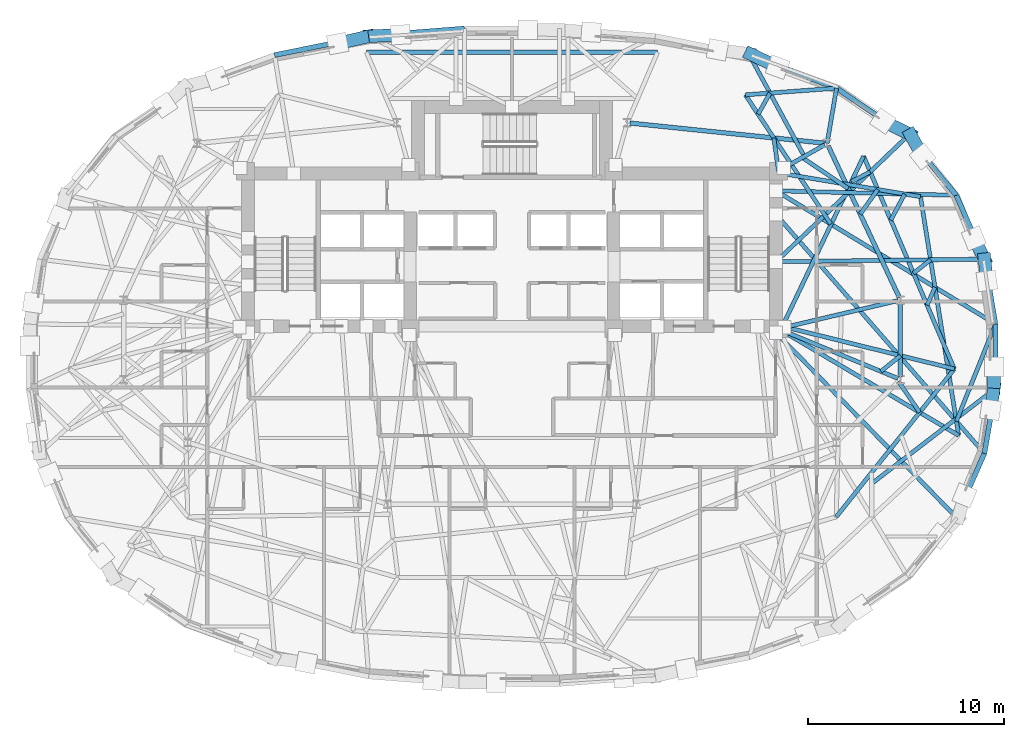
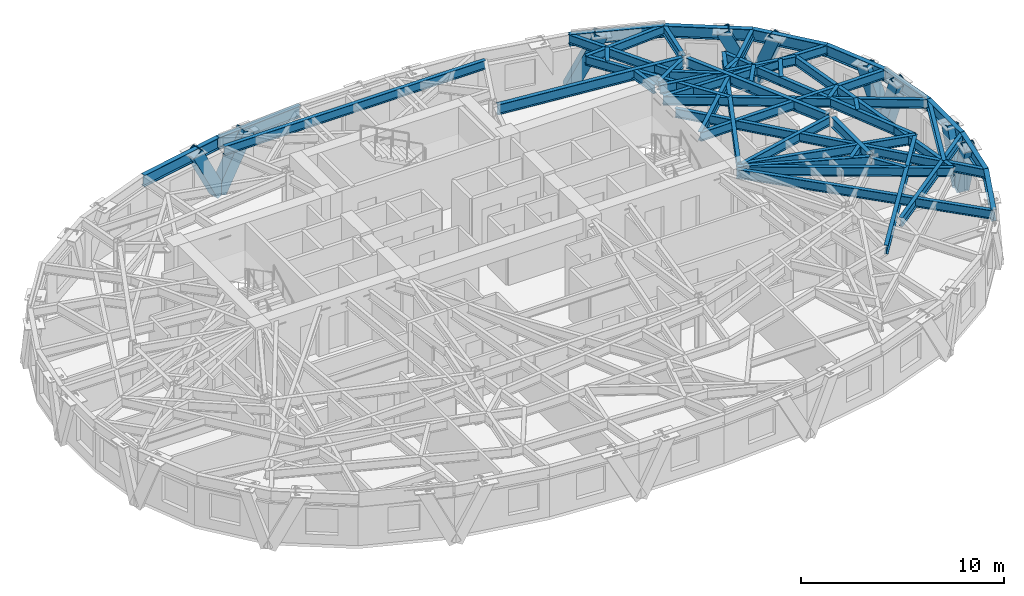
# One storey, part 4 of 15: 46 beams, 9 members.
"""IFC4 building model written with IfcOpenShell, lengths in metres."""

from ifc_helpers import new_model, si_unit, direction, frame, origin, origin_2d, place, context, subcontext, project, spatial, hollow_rectangle, i_section, extrude, material, material_profile, profile_set, type_object, element, save


model = new_model("IFC4")

# Units and contexts
model_context = context("Model", 3, precision=1e-05, world=origin(), true_north=direction((0.0, 1.0)))
body_context = subcontext(model_context, "Body", "Model", "MODEL_VIEW")
ifc_project = project(units=[si_unit("LENGTHUNIT", "METRE"), si_unit("AREAUNIT", "SQUARE_METRE"), si_unit("VOLUMEUNIT", "CUBIC_METRE"), si_unit("PLANEANGLEUNIT", "RADIAN"), si_unit("MASSUNIT", "GRAM", prefix="KILO")], contexts=[model_context])

# Site, building, storey
site_placement = place(None, origin())
site = spatial("IfcSite", under=ifc_project, at=site_placement, CompositionType="ELEMENT")
building_placement = place(site_placement, origin())
building = spatial("IfcBuilding", under=site, at=building_placement, Name="Keldmark Tower", CompositionType="ELEMENT")
storey_placement = place(building_placement, frame((0.0, 0.0, 147.0)))
storey = spatial("IfcBuildingStorey", under=building, at=storey_placement, Name="L39", CompositionType="ELEMENT", Elevation=147.0)

# Members
ifc_material_1 = material(Name="Steel ASTM A572 Grade 50", Category="steel")
ifc_material_profile_1 = material_profile(ifc_material_1, hollow_rectangle(XDim=0.64990234375, YDim=0.64990234375, WallThickness=0.0400390625, at=origin_2d()), Name="BOX650X650X40")
ifc_profile_set_1 = profile_set([ifc_material_profile_1], Name="Steel ASTM A572 Grade 50")
member_type = type_object("IfcMemberType", Name="Diagrid Zone 3 Brace BOX650X650X40", PredefinedType="BRACE", material=ifc_profile_set_1)
member_1_placement = place(storey_placement, frame((24.115966796875, 4.965087890625, -0.260009765625), z_axis=(0.037053544123, -0.332972319881, 0.942208293883), x_axis=(0.993865171867, 0.110598463594, 0.0)))
element("IfcMember", 1, at=member_1_placement, inside=storey, type_object=member_type, Name="L39 Perimeter Diagrid Brace 01A", PredefinedType="BRACE", context=body_context, shape_type="SweptSolid", body=[
    extrude(hollow_rectangle(XDim=0.64990234375, YDim=0.64990234375, WallThickness=0.0400390625, at=origin_2d()), origin(), (0.0, 0.0, 1.0), 3.353759765625),
])
member_2_placement = place(storey_placement, frame((24.118408203125, 4.95361328125, -0.260009765625), z_axis=(-0.160742019447, 0.317223581057, 0.934628911818), x_axis=(-0.892018310784, -0.451999262418, 0.0)))
element("IfcMember", 2, at=member_2_placement, inside=storey, type_object=member_type, Name="L39 Perimeter Diagrid Brace 01B", PredefinedType="BRACE", context=body_context, shape_type="SweptSolid", body=[
    extrude(hollow_rectangle(XDim=0.64990234375, YDim=0.64990234375, WallThickness=0.0400390625, at=origin_2d()), origin(), (0.0, 0.0, 1.0), 3.380859375),
])
member_3_placement = place(storey_placement, frame((20.339111328125, 11.315185546875, -0.260009765625), z_axis=(0.182228800254, -0.32851305916, 0.926753383765), x_axis=(0.87447176206, 0.485076424246, 0.0)))
element("IfcMember", 3, at=member_3_placement, inside=storey, type_object=member_type, Name="L39 Perimeter Diagrid Brace 02A", PredefinedType="BRACE", context=body_context, shape_type="SweptSolid", body=[
    extrude(hollow_rectangle(XDim=0.64990234375, YDim=0.64990234375, WallThickness=0.0400390625, at=origin_2d()), origin(), (0.0, 0.0, 1.0), 3.40966796875),
])
member_4_placement = place(storey_placement, frame((20.345458984375, 11.305419921875, -0.260009765625), z_axis=(-0.400495237178, 0.198692632767, 0.894496955099), x_axis=(-0.444428919938, -0.895814118622, 0.0)))
element("IfcMember", 4, at=member_4_placement, inside=storey, type_object=member_type, Name="L39 Perimeter Diagrid Brace 02B", PredefinedType="BRACE", context=body_context, shape_type="SweptSolid", body=[
    extrude(hollow_rectangle(XDim=0.64990234375, YDim=0.64990234375, WallThickness=0.0400390625, at=origin_2d()), origin(), (0.0, 0.0, 1.0), 3.53271484375),
])
member_5_placement = place(storey_placement, frame((12.166015625, 15.43017578125, -0.260009765625), z_axis=(0.39687884296, -0.190496294838, 0.89788548583), x_axis=(0.432720821638, 0.901527975451, 0.0)))
element("IfcMember", 5, at=member_5_placement, inside=storey, type_object=member_type, Name="L39 Perimeter Diagrid Brace 03A", PredefinedType="BRACE", context=body_context, shape_type="SweptSolid", body=[
    extrude(hollow_rectangle(XDim=0.64990234375, YDim=0.64990234375, WallThickness=0.0400390625, at=origin_2d()), origin(), (0.0, 0.0, 1.0), 3.519287109375),
])
member_6_placement = place(storey_placement, frame((-7.32763671875, 16.327392578125, -0.260009765625), z_axis=(0.46212081296, 0.023630010445, 0.886502101992), x_axis=(-0.05106711903, 0.998695223456, 0.0)))
element("IfcMember", 6, at=member_6_placement, inside=storey, type_object=member_type, Name="L39 Perimeter Diagrid Brace 05A", PredefinedType="BRACE", context=body_context, shape_type="SweptSolid", body=[
    extrude(hollow_rectangle(XDim=0.64990234375, YDim=0.64990234375, WallThickness=0.0400390625, at=origin_2d()), origin(), (0.0, 0.0, 1.0), 3.564453125),
])
member_7_placement = place(storey_placement, frame((-7.316162109375, 16.32958984375, -0.260009765625), z_axis=(-0.445328410974, -0.103619077881, 0.889351276537), x_axis=(0.226626224402, -0.973981803944, 0.0)))
element("IfcMember", 7, at=member_7_placement, inside=storey, type_object=member_type, Name="L39 Perimeter Diagrid Brace 05B", PredefinedType="BRACE", context=body_context, shape_type="SweptSolid", body=[
    extrude(hollow_rectangle(XDim=0.64990234375, YDim=0.64990234375, WallThickness=0.0400390625, at=origin_2d()), origin(), (0.0, 0.0, 1.0), 3.552978515625),
])
member_8_placement = place(storey_placement, frame((24.596435546875, -1.62841796875, -0.260009765625), z_axis=(-0.049387112798, -0.32968447275, 0.942798526471), x_axis=(0.988965183574, -0.148148120739, 0.0)))
element("IfcMember", 8, at=member_8_placement, inside=storey, type_object=member_type, Name="L39 Perimeter Diagrid Brace 16A", PredefinedType="BRACE", context=body_context, shape_type="SweptSolid", body=[
    extrude(hollow_rectangle(XDim=0.64990234375, YDim=0.64990234375, WallThickness=0.0400390625, at=origin_2d()), origin(), (0.0, 0.0, 1.0), 3.3515625),
])
member_9_placement = place(storey_placement, frame((24.59423828125, -1.639892578125, -0.260009765625), z_axis=(0.00671501047, 0.327867685104, 0.944699788133), x_axis=(-0.999790333251, 0.020476560699, 0.0)))
element("IfcMember", 9, at=member_9_placement, inside=storey, type_object=member_type, Name="L39 Perimeter Diagrid Brace 16B", PredefinedType="BRACE", context=body_context, shape_type="SweptSolid", body=[
    extrude(hollow_rectangle(XDim=0.64990234375, YDim=0.64990234375, WallThickness=0.0400390625, at=origin_2d()), origin(), (0.0, 0.0, 1.0), 3.344970703125),
])

# Beams
ifc_material_2 = material(Name="Steel ASTM A992 Grade 50", Category="steel")
ifc_material_profile_2 = material_profile(ifc_material_2, i_section(OverallWidth=0.22900390625, OverallDepth=0.612060546875, WebThickness=0.011962890625, FlangeThickness=0.01953125, at=origin_2d()), Name="W24X84")
ifc_profile_set_2 = profile_set([ifc_material_profile_2], Name="Steel ASTM A992 Grade 50")
beam_type_1 = type_object("IfcBeamType", Name="Primary Floor Girder W24X84", PredefinedType="BEAM", material=ifc_profile_set_2)
beam_1_placement = place(storey_placement, frame((19.76904296875, 2.99609375, 2.714111328125), z_axis=(-0.424526823774, 0.905415360979, 0.0), x_axis=(-0.905415360979, -0.424526823774, 0.0)))
element("IfcBeam", 10, at=beam_1_placement, inside=storey, type_object=beam_type_1, Name="L39 Floor Ring Girder FG-R01", PredefinedType="BEAM", context=body_context, shape_type="SweptSolid", body=[
    extrude(i_section(OverallWidth=0.22900390625, OverallDepth=0.612060546875, WebThickness=0.011962890625, FlangeThickness=0.01953125, at=origin_2d()), origin(), (0.0, 0.0, 1.0), 8.54638671875),
])
beam_2_placement = place(storey_placement, frame((15.942138671875, 10.87548828125, 2.714111328125), z_axis=(-0.994702930931, 0.102791435423, 0.0), x_axis=(-0.102791435423, -0.994702930931, 0.0)))
element("IfcBeam", 11, at=beam_2_placement, inside=storey, type_object=beam_type_1, Name="L39 Floor Ring Girder FG-R02", PredefinedType="BEAM", context=body_context, shape_type="SweptSolid", body=[
    extrude(i_section(OverallWidth=0.22900390625, OverallDepth=0.612060546875, WebThickness=0.011962890625, FlangeThickness=0.01953125, at=origin_2d()), origin(), (0.0, 0.0, 1.0), 9.975341796875),
])
beam_3_placement = place(storey_placement, frame((19.828369140625, -1.04931640625, 2.714111328125), z_axis=(0.0, 1.0, 0.0), x_axis=(-1.0, 0.0, 0.0)))
element("IfcBeam", 12, at=beam_3_placement, inside=storey, type_object=beam_type_1, Name="L39 Floor Ring Girder FG-R12", PredefinedType="BEAM", context=body_context, shape_type="SweptSolid", body=[
    extrude(i_section(OverallWidth=0.22900390625, OverallDepth=0.612060546875, WebThickness=0.011962890625, FlangeThickness=0.01953125, at=origin_2d()), origin(), (0.0, 0.0, 1.0), 3.778564453125),
])
ifc_material_3 = material(Name="Steel ASTM A992 Grade 50", Category="steel")
ifc_material_profile_3 = material_profile(ifc_material_3, i_section(OverallWidth=0.2099609375, OverallDepth=0.537109375, WebThickness=0.010986328125, FlangeThickness=0.017333984375, at=origin_2d()), Name="W21X68")
ifc_profile_set_3 = profile_set([ifc_material_profile_3], Name="Steel ASTM A992 Grade 50")
beam_type_2 = type_object("IfcBeamType", Name="Radial Tie Girder W21X68", PredefinedType="BEAM", material=ifc_profile_set_3)
beam_4_placement = place(storey_placement, frame((19.692138671875, 2.837158203125, 2.75146484375), z_axis=(-0.973280062348, -0.229621253887, 0.0), x_axis=(0.229621253887, -0.973280062348, 0.0)))
element("IfcBeam", 13, at=beam_4_placement, inside=storey, type_object=beam_type_2, Name="L39 Floor Radial Girder FG-C01", PredefinedType="BEAM", context=body_context, shape_type="SweptSolid", body=[
    extrude(i_section(OverallWidth=0.2099609375, OverallDepth=0.537109375, WebThickness=0.010986328125, FlangeThickness=0.017333984375, at=origin_2d()), origin(), (0.0, 0.0, 1.0), 5.939208984375),
])
beam_5_placement = place(storey_placement, frame((15.959716796875, 10.791748046875, 2.75146484375), z_axis=(-0.86929527307, -0.494293160197, 0.0), x_axis=(0.494293160197, -0.86929527307, 0.0)))
element("IfcBeam", 14, at=beam_5_placement, inside=storey, type_object=beam_type_2, Name="L39 Floor Radial Girder FG-C02", PredefinedType="BEAM", context=body_context, shape_type="SweptSolid", body=[
    extrude(i_section(OverallWidth=0.2099609375, OverallDepth=0.537109375, WebThickness=0.010986328125, FlangeThickness=0.017333984375, at=origin_2d()), origin(), (0.0, 0.0, 1.0), 2.39453125),
])
beam_6_placement = place(storey_placement, frame((19.69921875, -1.135498046875, 2.75146484375), z_axis=(-0.923393794893, 0.383854008124, 0.0), x_axis=(-0.383854008124, -0.923393794893, 0.0)))
element("IfcBeam", 15, at=beam_6_placement, inside=storey, type_object=beam_type_2, Name="L39 Floor Radial Girder FG-C12", PredefinedType="BEAM", context=body_context, shape_type="SweptSolid", body=[
    extrude(i_section(OverallWidth=0.2099609375, OverallDepth=0.537109375, WebThickness=0.010986328125, FlangeThickness=0.017333984375, at=origin_2d()), origin(), (0.0, 0.0, 1.0), 6.28515625),
])
beam_7_placement = place(storey_placement, frame((14.81494140625, 10.140869140625, 2.75146484375), z_axis=(0.829503086518, -0.558502130217, 0.0), x_axis=(0.558502130217, 0.829503086518, 0.0)))
element("IfcBeam", 16, at=beam_7_placement, inside=storey, type_object=beam_type_2, Name="L39 Framing Pin Header PH-001", PredefinedType="BEAM", context=body_context, shape_type="SweptSolid", body=[
    extrude(i_section(OverallWidth=0.2099609375, OverallDepth=0.537109375, WebThickness=0.010986328125, FlangeThickness=0.017333984375, at=origin_2d()), origin(), (0.0, 0.0, 1.0), 2.826171875),
])
beam_8_placement = place(storey_placement, frame((13.800048828125, 1.52490234375, 2.75146484375), z_axis=(0.430746964627, 0.902472743336, 0.0), x_axis=(-0.902472743336, 0.430746964627, 0.0)))
element("IfcBeam", 17, at=beam_8_placement, inside=storey, type_object=beam_type_2, Name="L39 Sub-Ring Step Girder STP1-M01", PredefinedType="BEAM", context=body_context, shape_type="SweptSolid", body=[
    extrude(i_section(OverallWidth=0.2099609375, OverallDepth=0.537109375, WebThickness=0.010986328125, FlangeThickness=0.017333984375, at=origin_2d()), origin(), (0.0, 0.0, 1.0), 9.621826171875),
])
beam_9_placement = place(storey_placement, frame((18.82861328125, -0.773681640625, 2.75146484375), z_axis=(0.77882358978, 0.627243027862, 0.0), x_axis=(-0.627243027862, 0.77882358978, 0.0)))
element("IfcBeam", 18, at=beam_9_placement, inside=storey, type_object=beam_type_2, Name="L39 Framing Pin Header PH-008", PredefinedType="BEAM", context=body_context, shape_type="SweptSolid", body=[
    extrude(i_section(OverallWidth=0.2099609375, OverallDepth=0.537109375, WebThickness=0.010986328125, FlangeThickness=0.017333984375, at=origin_2d()), origin(), (0.0, 0.0, 1.0), 1.28369140625),
])
beam_10_placement = place(storey_placement, frame((13.800048828125, 1.52490234375, 2.75146484375), z_axis=(0.970654935754, -0.240476601141, 0.0), x_axis=(0.240476601141, 0.970654935754, 0.0)))
element("IfcBeam", 19, at=beam_10_placement, inside=storey, type_object=beam_type_2, Name="L39 Sub-Ring Step Girder STP1-M12", PredefinedType="BEAM", context=body_context, shape_type="SweptSolid", body=[
    extrude(i_section(OverallWidth=0.2099609375, OverallDepth=0.537109375, WebThickness=0.010986328125, FlangeThickness=0.017333984375, at=origin_2d()), origin(), (0.0, 0.0, 1.0), 9.041748046875),
])
beam_11_placement = place(storey_placement, frame((16.549560546875, -8.198486328125, 2.75146484375), z_axis=(0.623911858681, 0.781494716935, 0.0), x_axis=(-0.781494716935, 0.623911858681, 0.0)))
element("IfcBeam", 20, at=beam_11_placement, inside=storey, type_object=beam_type_2, Name="L39 Perimeter Collector Ring Beam CRG1-M11", PredefinedType="BEAM", context=body_context, shape_type="SweptSolid", body=[
    extrude(i_section(OverallWidth=0.2099609375, OverallDepth=0.537109375, WebThickness=0.010986328125, FlangeThickness=0.017333984375, at=origin_2d()), origin(), (0.0, 0.0, 1.0), 9.65966796875),
])
beam_12_placement = place(storey_placement, frame((22.576416015625, -0.6494140625, 2.75146484375), z_axis=(-0.392383627072, 0.919801657536, 0.0), x_axis=(-0.919801657536, -0.392383627072, 0.0)))
element("IfcBeam", 21, at=beam_12_placement, inside=storey, type_object=beam_type_2, Name="L39 Perimeter Collector Ring Beam CRG1-M12", PredefinedType="BEAM", context=body_context, shape_type="SweptSolid", body=[
    extrude(i_section(OverallWidth=0.2099609375, OverallDepth=0.537109375, WebThickness=0.010986328125, FlangeThickness=0.017333984375, at=origin_2d()), origin(), (0.0, 0.0, 1.0), 11.804443359375),
])
beam_13_placement = place(storey_placement, frame((17.7734375, 7.251953125, 2.75146484375), z_axis=(0.579906395195, 0.814683111898, 0.0), x_axis=(-0.814683111898, 0.579906395195, 0.0)))
element("IfcBeam", 22, at=beam_13_placement, inside=storey, type_object=beam_type_2, Name="L39 Framing Pin Header PH-009", PredefinedType="BEAM", context=body_context, shape_type="SweptSolid", body=[
    extrude(i_section(OverallWidth=0.2099609375, OverallDepth=0.537109375, WebThickness=0.010986328125, FlangeThickness=0.017333984375, at=origin_2d()), origin(), (0.0, 0.0, 1.0), 1.544189453125),
])
beam_14_placement = place(storey_placement, frame((13.800048828125, 9.324951171875, 2.75146484375), z_axis=(0.986282001442, -0.16506911774, 0.0), x_axis=(0.16506911774, 0.986282001442, 0.0)))
element("IfcBeam", 23, at=beam_14_placement, inside=storey, type_object=beam_type_2, Name="L39 Sub-Ring Step Girder STP2-M01", PredefinedType="BEAM", context=body_context, shape_type="SweptSolid", body=[
    extrude(i_section(OverallWidth=0.2099609375, OverallDepth=0.537109375, WebThickness=0.010986328125, FlangeThickness=0.017333984375, at=origin_2d()), origin(), (0.0, 0.0, 1.0), 7.148193359375),
])
beam_15_placement = place(storey_placement, frame((19.728271484375, -1.287109375, 2.75146484375), z_axis=(0.564358808906, -0.825529608682, 0.0), x_axis=(0.825529608682, 0.564358808906, 0.0)))
element("IfcBeam", 24, at=beam_15_placement, inside=storey, type_object=beam_type_2, Name="L39 Framing Pin Header PH-014", PredefinedType="BEAM", context=body_context, shape_type="SweptSolid", body=[
    extrude(i_section(OverallWidth=0.2099609375, OverallDepth=0.537109375, WebThickness=0.010986328125, FlangeThickness=0.017333984375, at=origin_2d()), origin(), (0.0, 0.0, 1.0), 1.91162109375),
])
beam_16_placement = place(storey_placement, frame((13.60009765625, 1.39990234375, 2.75146484375), z_axis=(0.860597525961, -0.509285674557, 0.0), x_axis=(0.509285674557, 0.860597525961, 0.0)))
element("IfcBeam", 25, at=beam_16_placement, inside=storey, type_object=beam_type_2, Name="L39 Sub-Ring Step Girder STP2-M12", PredefinedType="BEAM", context=body_context, shape_type="SweptSolid", body=[
    extrude(i_section(OverallWidth=0.2099609375, OverallDepth=0.537109375, WebThickness=0.010986328125, FlangeThickness=0.017333984375, at=origin_2d()), origin(), (0.0, 0.0, 1.0), 10.686767578125),
])
beam_17_placement = place(storey_placement, frame((22.797119140625, -4.042724609375, 2.75146484375), z_axis=(-0.157752108201, 0.987478745269, 0.0), x_axis=(-0.987478745269, -0.157752108201, 0.0)))
element("IfcBeam", 26, at=beam_17_placement, inside=storey, type_object=beam_type_2, Name="L39 Perimeter Collector Ring Beam CRG2-M12", PredefinedType="BEAM", context=body_context, shape_type="SweptSolid", body=[
    extrude(i_section(OverallWidth=0.2099609375, OverallDepth=0.537109375, WebThickness=0.010986328125, FlangeThickness=0.017333984375, at=origin_2d()), origin(), (0.0, 0.0, 1.0), 12.34228515625),
])
beam_18_placement = place(storey_placement, frame((21.186767578125, 2.60791015625, 2.75146484375), z_axis=(0.403001157127, 0.915199468616, 0.0), x_axis=(-0.915199468616, 0.403001157127, 0.0)))
element("IfcBeam", 27, at=beam_18_placement, inside=storey, type_object=beam_type_2, Name="L39 Framing Pin Header PH-015", PredefinedType="BEAM", context=body_context, shape_type="SweptSolid", body=[
    extrude(i_section(OverallWidth=0.2099609375, OverallDepth=0.537109375, WebThickness=0.010986328125, FlangeThickness=0.017333984375, at=origin_2d()), origin(), (0.0, 0.0, 1.0), 0.9970703125),
])
beam_19_placement = place(storey_placement, frame((13.47509765625, 8.44287109375, 2.75146484375), z_axis=(0.854966969982, -0.518682446436, 0.0), x_axis=(0.518682446436, 0.854966969982, 0.0)))
element("IfcBeam", 28, at=beam_19_placement, inside=storey, type_object=beam_type_2, Name="L39 Perimeter Radial Tie Girder RT-01", PredefinedType="BEAM", context=body_context, shape_type="SweptSolid", body=[
    extrude(i_section(OverallWidth=0.2099609375, OverallDepth=0.537109375, WebThickness=0.010986328125, FlangeThickness=0.017333984375, at=origin_2d()), origin(), (0.0, 0.0, 1.0), 13.101318359375),
])
beam_20_placement = place(storey_placement, frame((20.491943359375, 4.236572265625, 2.75146484375), z_axis=(0.786203857402, 0.617967227776, 0.0), x_axis=(-0.617967227776, 0.786203857402, 0.0)))
element("IfcBeam", 29, at=beam_20_placement, inside=storey, type_object=beam_type_2, Name="L39 Framing Pin Header PH-016", PredefinedType="BEAM", context=body_context, shape_type="SweptSolid", body=[
    extrude(i_section(OverallWidth=0.2099609375, OverallDepth=0.537109375, WebThickness=0.010986328125, FlangeThickness=0.017333984375, at=origin_2d()), origin(), (0.0, 0.0, 1.0), 1.110107421875),
])
beam_21_placement = place(storey_placement, frame((13.47509765625, 4.8212890625, 2.75146484375), z_axis=(0.999917404383, 0.012852408797, 0.0), x_axis=(-0.012852408797, 0.999917404383, 0.0)))
element("IfcBeam", 30, at=beam_21_placement, inside=storey, type_object=beam_type_2, Name="L39 Perimeter Radial Tie Girder RT-02", PredefinedType="BEAM", context=body_context, shape_type="SweptSolid", body=[
    extrude(i_section(OverallWidth=0.2099609375, OverallDepth=0.537109375, WebThickness=0.010986328125, FlangeThickness=0.017333984375, at=origin_2d()), origin(), (0.0, 0.0, 1.0), 10.6376953125),
])
beam_22_placement = place(storey_placement, frame((19.333984375, 6.950927734375, 2.75146484375), z_axis=(0.470529345659, 0.882384346458, 0.0), x_axis=(-0.882384346458, 0.470529345659, 0.0)))
element("IfcBeam", 31, at=beam_22_placement, inside=storey, type_object=beam_type_2, Name="L39 Framing Pin Header PH-017", PredefinedType="BEAM", context=body_context, shape_type="SweptSolid", body=[
    extrude(i_section(OverallWidth=0.2099609375, OverallDepth=0.537109375, WebThickness=0.010986328125, FlangeThickness=0.017333984375, at=origin_2d()), origin(), (0.0, 0.0, 1.0), 1.50634765625),
])
beam_23_placement = place(storey_placement, frame((13.47509765625, 8.44287109375, 2.75146484375), z_axis=(0.999692861639, -0.024782703386, 0.0), x_axis=(0.024782703386, 0.999692861639, 0.0)))
element("IfcBeam", 32, at=beam_23_placement, inside=storey, type_object=beam_type_2, Name="L39 Perimeter Radial Tie Girder RT-03", PredefinedType="BEAM", context=body_context, shape_type="SweptSolid", body=[
    extrude(i_section(OverallWidth=0.2099609375, OverallDepth=0.537109375, WebThickness=0.010986328125, FlangeThickness=0.017333984375, at=origin_2d()), origin(), (0.0, 0.0, 1.0), 9.201171875),
])
beam_24_placement = place(storey_placement, frame((17.322998046875, 8.90576171875, 2.75146484375), z_axis=(0.88408831004, 0.467319869094, 0.0), x_axis=(-0.467319869094, 0.88408831004, 0.0)))
element("IfcBeam", 33, at=beam_24_placement, inside=storey, type_object=beam_type_2, Name="L39 Framing Pin Header PH-018", PredefinedType="BEAM", context=body_context, shape_type="SweptSolid", body=[
    extrude(i_section(OverallWidth=0.2099609375, OverallDepth=0.537109375, WebThickness=0.010986328125, FlangeThickness=0.017333984375, at=origin_2d()), origin(), (0.0, 0.0, 1.0), 1.086669921875),
])
beam_25_placement = place(storey_placement, frame((13.47509765625, 4.8212890625, 2.75146484375), z_axis=(0.723185226846, 0.690654130279, 0.0), x_axis=(-0.690654130279, 0.723185226846, 0.0)))
element("IfcBeam", 34, at=beam_25_placement, inside=storey, type_object=beam_type_2, Name="L39 Perimeter Radial Tie Girder RT-04", PredefinedType="BEAM", context=body_context, shape_type="SweptSolid", body=[
    extrude(i_section(OverallWidth=0.2099609375, OverallDepth=0.537109375, WebThickness=0.010986328125, FlangeThickness=0.017333984375, at=origin_2d()), origin(), (0.0, 0.0, 1.0), 9.27587890625),
])
beam_26_placement = place(storey_placement, frame((16.08154296875, 10.861083984375, 2.75146484375), z_axis=(0.168715101851, 0.985664859071, 0.0), x_axis=(-0.985664859071, 0.168715101851, 0.0)))
element("IfcBeam", 35, at=beam_26_placement, inside=storey, type_object=beam_type_2, Name="L39 Perimeter Column Bracket RT-05", PredefinedType="BEAM", context=body_context, shape_type="SweptSolid", body=[
    extrude(i_section(OverallWidth=0.2099609375, OverallDepth=0.537109375, WebThickness=0.010986328125, FlangeThickness=0.017333984375, at=origin_2d()), origin(), (0.0, 0.0, 1.0), 2.86083984375),
])
beam_27_placement = place(storey_placement, frame((13.60009765625, 9.449951171875, 2.75146484375), z_axis=(-0.137657969594, 0.990479824836, 0.0), x_axis=(-0.990479824836, -0.137657969594, 0.0)))
element("IfcBeam", 36, at=beam_27_placement, inside=storey, type_object=beam_type_2, Name="L39 Framing Pin Header PH-019", PredefinedType="BEAM", context=body_context, shape_type="SweptSolid", body=[
    extrude(i_section(OverallWidth=0.2099609375, OverallDepth=0.537109375, WebThickness=0.010986328125, FlangeThickness=0.017333984375, at=origin_2d()), origin(), (0.0, 0.0, 1.0), 1.7080078125),
])
beam_28_placement = place(storey_placement, frame((16.275390625, 6.743896484375, 2.75146484375), z_axis=(-0.551848279488, 0.833944528387, 0.0), x_axis=(-0.833944528387, -0.551848279488, 0.0)))
element("IfcBeam", 37, at=beam_28_placement, inside=storey, type_object=beam_type_2, Name="L39 Intermediate Radial Step Girder RT-06M", PredefinedType="BEAM", context=body_context, shape_type="SweptSolid", body=[
    extrude(i_section(OverallWidth=0.2099609375, OverallDepth=0.537109375, WebThickness=0.010986328125, FlangeThickness=0.017333984375, at=origin_2d()), origin(), (0.0, 0.0, 1.0), 7.9111328125),
])
beam_29_placement = place(storey_placement, frame((16.564208984375, 13.680908203125, 2.75146484375), z_axis=(-0.997348931481, -0.072767498751, 0.0), x_axis=(0.072767498751, -0.997348931481, 0.0)))
element("IfcBeam", 38, at=beam_29_placement, inside=storey, type_object=beam_type_2, Name="L39 Local Collector Chord RT-06C", PredefinedType="BEAM", context=body_context, shape_type="SweptSolid", body=[
    extrude(i_section(OverallWidth=0.2099609375, OverallDepth=0.537109375, WebThickness=0.010986328125, FlangeThickness=0.017333984375, at=origin_2d()), origin(), (0.0, 0.0, 1.0), 4.6669921875),
])
beam_30_placement = place(storey_placement, frame((12.564453125, 12.351806640625, 2.75146484375), z_axis=(0.487065421999, 0.873365487464, 0.0), x_axis=(-0.873365487464, 0.487065421999, 0.0)))
element("IfcBeam", 39, at=beam_30_placement, inside=storey, type_object=beam_type_2, Name="L39 Framing Pin Header PH-020", PredefinedType="BEAM", context=body_context, shape_type="SweptSolid", body=[
    extrude(i_section(OverallWidth=0.2099609375, OverallDepth=0.537109375, WebThickness=0.010986328125, FlangeThickness=0.017333984375, at=origin_2d()), origin(), (0.0, 0.0, 1.0), 1.238037109375),
])
beam_31_placement = place(storey_placement, frame((14.9189453125, 10.199951171875, 2.75146484375), z_axis=(-0.476277796883, 0.87929486533, 0.0), x_axis=(-0.87929486533, -0.476277796883, 0.0)))
element("IfcBeam", 40, at=beam_31_placement, inside=storey, type_object=beam_type_2, Name="L39 Perimeter Radial Tie Girder RT-06", PredefinedType="BEAM", context=body_context, shape_type="SweptSolid", body=[
    extrude(i_section(OverallWidth=0.2099609375, OverallDepth=0.537109375, WebThickness=0.010986328125, FlangeThickness=0.017333984375, at=origin_2d()), origin(), (0.0, 0.0, 1.0), 5.87841796875),
])
beam_32_placement = place(storey_placement, frame((13.47509765625, 1.199951171875, 2.75146484375), z_axis=(0.698832676209, -0.715285181353, 0.0), x_axis=(0.715285181353, 0.698832676209, 0.0)))
element("IfcBeam", 41, at=beam_32_placement, inside=storey, type_object=beam_type_2, Name="L39 Perimeter Radial Tie Girder RT-30", PredefinedType="BEAM", context=body_context, shape_type="SweptSolid", body=[
    extrude(i_section(OverallWidth=0.2099609375, OverallDepth=0.537109375, WebThickness=0.010986328125, FlangeThickness=0.017333984375, at=origin_2d()), origin(), (0.0, 0.0, 1.0), 13.162353515625),
])
beam_33_placement = place(storey_placement, frame((24.67626953125, 1.6474609375, 2.75146484375), z_axis=(-0.372837600462, -0.927896612604, 0.0), x_axis=(0.927896612604, -0.372837600462, 0.0)))
element("IfcBeam", 42, at=beam_33_placement, inside=storey, type_object=beam_type_2, Name="L39 Framing Pin Header PH-041", PredefinedType="BEAM", context=body_context, shape_type="SweptSolid", body=[
    extrude(i_section(OverallWidth=0.2099609375, OverallDepth=0.537109375, WebThickness=0.010986328125, FlangeThickness=0.017333984375, at=origin_2d()), origin(), (0.0, 0.0, 1.0), 5.35107421875),
])
beam_34_placement = place(storey_placement, frame((13.47509765625, 7.235595703125, 2.75146484375), z_axis=(0.657359819303, -0.75357684941, 0.0), x_axis=(0.75357684941, 0.657359819303, 0.0)))
element("IfcBeam", 43, at=beam_34_placement, inside=storey, type_object=beam_type_2, Name="L39 Perimeter Radial Tie Girder RT-31", PredefinedType="BEAM", context=body_context, shape_type="SweptSolid", body=[
    extrude(i_section(OverallWidth=0.2099609375, OverallDepth=0.537109375, WebThickness=0.010986328125, FlangeThickness=0.017333984375, at=origin_2d()), origin(), (0.0, 0.0, 1.0), 16.180908203125),
])
beam_35_placement = place(storey_placement, frame((18.35888671875, -6.49951171875, 2.75146484375), z_axis=(0.793077240482, 0.609121080435, 0.0), x_axis=(-0.609121080435, 0.793077240482, 0.0)))
element("IfcBeam", 44, at=beam_35_placement, inside=storey, type_object=beam_type_2, Name="L39 Perimeter Radial Tie Girder RT-32", PredefinedType="BEAM", context=body_context, shape_type="SweptSolid", body=[
    extrude(i_section(OverallWidth=0.2099609375, OverallDepth=0.537109375, WebThickness=0.010986328125, FlangeThickness=0.017333984375, at=origin_2d()), origin(), (0.0, 0.0, 1.0), 7.965576171875),
])
beam_36_placement = place(storey_placement, frame((-7.43017578125, 15.515869140625, 2.75146484375), z_axis=(1.0, 0.0, 0.0), x_axis=(0.0, 1.0, 0.0)))
element("IfcBeam", 45, at=beam_36_placement, inside=storey, type_object=beam_type_2, Name="L39 North Outer Header Girder FG-TCN-H1", PredefinedType="BEAM", context=body_context, shape_type="SweptSolid", body=[
    extrude(i_section(OverallWidth=0.2099609375, OverallDepth=0.537109375, WebThickness=0.010986328125, FlangeThickness=0.017333984375, at=origin_2d()), origin(), (0.0, 0.0, 1.0), 14.8603515625),
])
ifc_material_4 = material(Name="Steel ASTM A992 Grade 50", Category="steel")
ifc_material_profile_4 = material_profile(ifc_material_4, i_section(OverallWidth=0.256103515625, OverallDepth=0.693115234375, WebThickness=0.014404296875, FlangeThickness=0.023681640625, at=origin_2d()), Name="W27X114")
ifc_profile_set_4 = profile_set([ifc_material_profile_4], Name="Steel ASTM A992 Grade 50")
beam_type_3 = type_object("IfcBeamType", Name="Spandrel Ring Beam W27X114", PredefinedType="SPANDREL", material=ifc_profile_set_4)
beam_37_placement = place(storey_placement, frame((24.67626953125, 1.6474609375, 2.673583984375), z_axis=(-0.168075929829, 0.985774052109, 0.0), x_axis=(-0.985774052109, -0.168075929829, 0.0)))
element("IfcBeam", 46, at=beam_37_placement, inside=storey, type_object=beam_type_3, Name="L39 Perimeter Spandrel Ring Beam SRB-01", PredefinedType="SPANDREL", context=body_context, shape_type="SweptSolid", body=[
    extrude(i_section(OverallWidth=0.256103515625, OverallDepth=0.693115234375, WebThickness=0.014404296875, FlangeThickness=0.023681640625, at=origin_2d()), origin(), (0.0, 0.0, 1.0), 3.3583984375),
])
beam_38_placement = place(storey_placement, frame((24.11181640625, 4.9580078125, 2.673583984375), z_axis=(-0.404025086602, 0.914747904833, 0.0), x_axis=(-0.914747904833, -0.404025086602, 0.0)))
element("IfcBeam", 47, at=beam_38_placement, inside=storey, type_object=beam_type_3, Name="L39 Perimeter Spandrel Ring Beam SRB-02", PredefinedType="SPANDREL", context=body_context, shape_type="SweptSolid", body=[
    extrude(i_section(OverallWidth=0.256103515625, OverallDepth=0.693115234375, WebThickness=0.014404296875, FlangeThickness=0.023681640625, at=origin_2d()), origin(), (0.0, 0.0, 1.0), 3.560302734375),
])
beam_39_placement = place(storey_placement, frame((22.67333984375, 8.21484375, 2.673583984375), z_axis=(-0.637039621307, 0.770831058589, 0.0), x_axis=(-0.770831058589, -0.637039621307, 0.0)))
element("IfcBeam", 48, at=beam_39_placement, inside=storey, type_object=beam_type_3, Name="L39 Perimeter Spandrel Ring Beam SRB-03", PredefinedType="SPANDREL", context=body_context, shape_type="SweptSolid", body=[
    extrude(i_section(OverallWidth=0.256103515625, OverallDepth=0.693115234375, WebThickness=0.014404296875, FlangeThickness=0.023681640625, at=origin_2d()), origin(), (0.0, 0.0, 1.0), 3.90869140625),
])
beam_40_placement = place(storey_placement, frame((20.183349609375, 11.227783203125, 2.673583984375), z_axis=(-0.827764762149, 0.561075305591, 0.0), x_axis=(-0.561075305591, -0.827764762149, 0.0)))
element("IfcBeam", 49, at=beam_40_placement, inside=storey, type_object=beam_type_3, Name="L39 Perimeter Spandrel Ring Beam SRB-04", PredefinedType="SPANDREL", context=body_context, shape_type="SweptSolid", body=[
    extrude(i_section(OverallWidth=0.256103515625, OverallDepth=0.693115234375, WebThickness=0.014404296875, FlangeThickness=0.023681640625, at=origin_2d()), origin(), (0.0, 0.0, 1.0), 4.3720703125),
])
beam_41_placement = place(storey_placement, frame((16.564208984375, 13.680908203125, 2.673583984375), z_axis=(-0.93486300855, 0.355008669254, 0.0), x_axis=(-0.355008669254, -0.93486300855, 0.0)))
element("IfcBeam", 50, at=beam_41_placement, inside=storey, type_object=beam_type_3, Name="L39 Perimeter Spandrel Ring Beam SRB-05", PredefinedType="SPANDREL", context=body_context, shape_type="SweptSolid", body=[
    extrude(i_section(OverallWidth=0.256103515625, OverallDepth=0.693115234375, WebThickness=0.014404296875, FlangeThickness=0.023681640625, at=origin_2d()), origin(), (0.0, 0.0, 1.0), 4.7548828125),
])
beam_42_placement = place(storey_placement, frame((-2.430419921875, 16.7265625, 2.673583984375), z_axis=(-0.996945914476, -0.07809509338, 0.0), x_axis=(0.07809509338, -0.996945914476, 0.0)))
element("IfcBeam", 51, at=beam_42_placement, inside=storey, type_object=beam_type_3, Name="L39 Perimeter Spandrel Ring Beam SRB-09", PredefinedType="SPANDREL", context=body_context, shape_type="SweptSolid", body=[
    extrude(i_section(OverallWidth=0.256103515625, OverallDepth=0.693115234375, WebThickness=0.014404296875, FlangeThickness=0.023681640625, at=origin_2d()), origin(), (0.0, 0.0, 1.0), 4.898681640625),
])
beam_43_placement = place(storey_placement, frame((-7.314208984375, 16.343994140625, 2.673583984375), z_axis=(-0.980023275358, -0.198882829215, 0.0), x_axis=(0.198882829215, -0.980023275358, 0.0)))
element("IfcBeam", 52, at=beam_43_placement, inside=storey, type_object=beam_type_3, Name="L39 Perimeter Spandrel Ring Beam SRB-10", PredefinedType="SPANDREL", context=body_context, shape_type="SweptSolid", body=[
    extrude(i_section(OverallWidth=0.256103515625, OverallDepth=0.693115234375, WebThickness=0.014404296875, FlangeThickness=0.023681640625, at=origin_2d()), origin(), (0.0, 0.0, 1.0), 4.90283203125),
])
beam_44_placement = place(storey_placement, frame((22.67333984375, -8.21484375, 2.673583984375), z_axis=(0.404025086602, 0.914747904833, 0.0), x_axis=(-0.914747904833, 0.404025086602, 0.0)))
element("IfcBeam", 53, at=beam_44_placement, inside=storey, type_object=beam_type_3, Name="L39 Perimeter Spandrel Ring Beam SRB-30", PredefinedType="SPANDREL", context=body_context, shape_type="SweptSolid", body=[
    extrude(i_section(OverallWidth=0.256103515625, OverallDepth=0.693115234375, WebThickness=0.014404296875, FlangeThickness=0.023681640625, at=origin_2d()), origin(), (0.0, 0.0, 1.0), 3.560302734375),
])
beam_45_placement = place(storey_placement, frame((24.11181640625, -4.9580078125, 2.673583984375), z_axis=(0.168075929829, 0.985774052109, 0.0), x_axis=(-0.985774052109, 0.168075929829, 0.0)))
element("IfcBeam", 54, at=beam_45_placement, inside=storey, type_object=beam_type_3, Name="L39 Perimeter Spandrel Ring Beam SRB-31", PredefinedType="SPANDREL", context=body_context, shape_type="SweptSolid", body=[
    extrude(i_section(OverallWidth=0.256103515625, OverallDepth=0.693115234375, WebThickness=0.014404296875, FlangeThickness=0.023681640625, at=origin_2d()), origin(), (0.0, 0.0, 1.0), 3.3583984375),
])
beam_46_placement = place(storey_placement, frame((24.67626953125, -1.6474609375, 2.673583984375), z_axis=(0.0, 1.0, 0.0), x_axis=(-1.0, 0.0, 0.0)))
element("IfcBeam", 55, at=beam_46_placement, inside=storey, type_object=beam_type_3, Name="L39 Perimeter Spandrel Ring Beam SRB-32", PredefinedType="SPANDREL", context=body_context, shape_type="SweptSolid", body=[
    extrude(i_section(OverallWidth=0.256103515625, OverallDepth=0.693115234375, WebThickness=0.014404296875, FlangeThickness=0.023681640625, at=origin_2d()), origin(), (0.0, 0.0, 1.0), 3.294921875),
])

save(model, "model.ifc")
